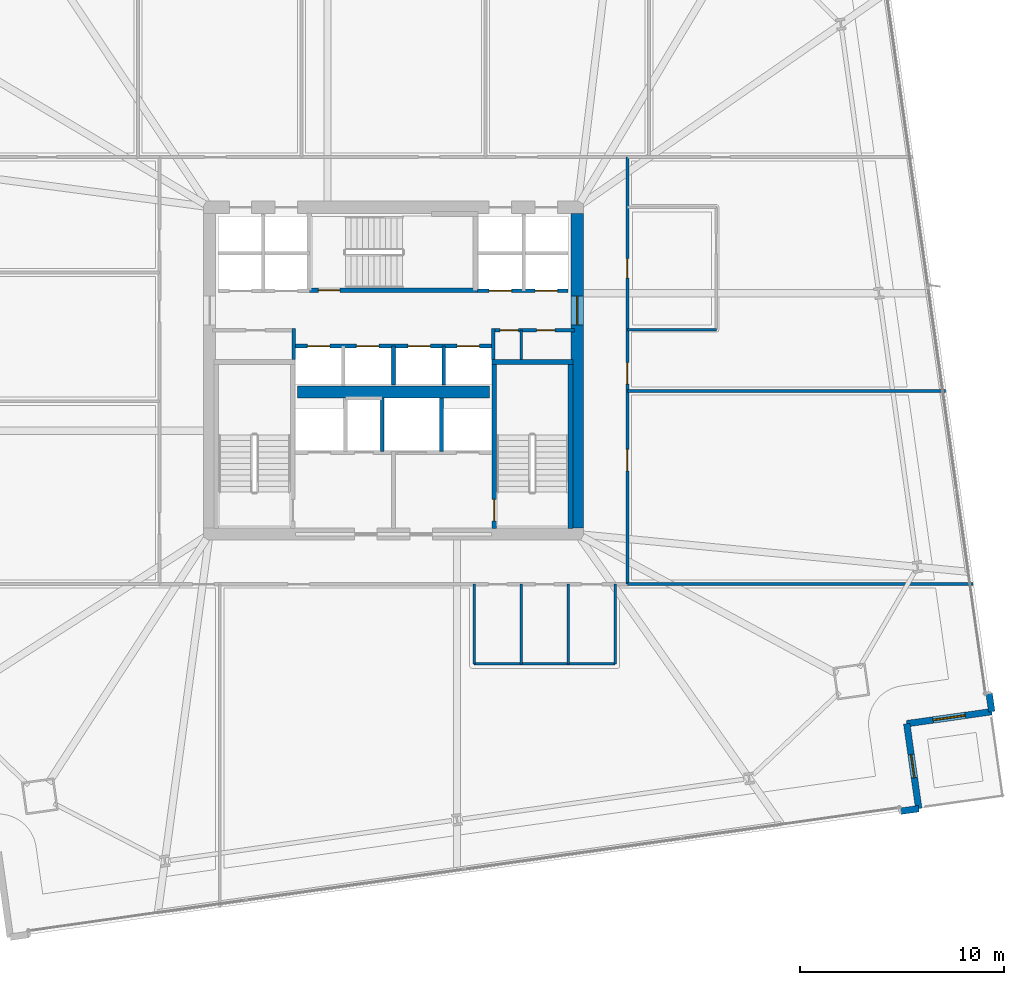
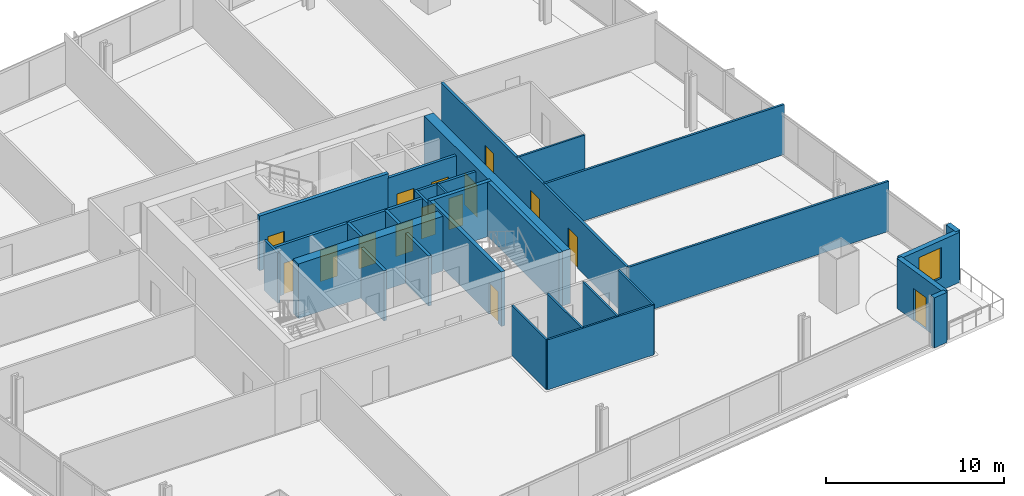
# One storey, part 26 of 33: 29 walls, 15 doors, 1 window, 16 openings.
"""IFC4 building model written with IfcOpenShell, lengths in metres."""

from ifc_helpers import new_model, si_unit, direction, frame, frame_2d, origin, place, context, subcontext, project, spatial, rectangle, extrude, material, layer, layer_set, type_object, element, fill, save


model = new_model("IFC4")

# Units and contexts
model_context = context("Model", 3, precision=1e-05, world=origin(), true_north=direction((0.0, 1.0)))
body_context = subcontext(model_context, "Body", "Model", "MODEL_VIEW")
ifc_project = project(units=[si_unit("LENGTHUNIT", "METRE"), si_unit("AREAUNIT", "SQUARE_METRE"), si_unit("VOLUMEUNIT", "CUBIC_METRE"), si_unit("PLANEANGLEUNIT", "RADIAN"), si_unit("MASSUNIT", "GRAM", prefix="KILO")], contexts=[model_context])

# Site, building, storey
site_placement = place(None, origin())
site = spatial("IfcSite", under=ifc_project, at=site_placement, CompositionType="ELEMENT")
building_placement = place(site_placement, origin())
building = spatial("IfcBuilding", under=site, at=building_placement, Name="Haldenkirk Collegiate Tower", CompositionType="ELEMENT")
storey_placement = place(building_placement, frame((0.0, 0.0, 55.199951171875)))
storey = spatial("IfcBuildingStorey", under=building, at=storey_placement, Name="L12", CompositionType="ELEMENT", Elevation=55.199951171875)

# Wall, opening, door
ifc_material_1 = material(Name="Concrete f'c 70 MPa", Category="concrete")
ifc_layer_1 = layer(ifc_material_1, 0.60009765625)
ifc_layer_set_1 = layer_set([ifc_layer_1], Name="Concrete f'c 70 MPa")
wall_type_1 = type_object("IfcWallType", Name="WL-CORE-600", PredefinedType="SHEAR", material=ifc_layer_set_1)
wall_1_placement = place(storey_placement, frame((45.0, 18.300048828125, 0.0), z_axis=(0.0, 0.0, 1.0), x_axis=(0.0, 1.0, 0.0)))
wall_1 = element("IfcWall", 1, at=wall_1_placement, inside=storey, type_object=wall_type_1, Name="L12 central core shear wall E", PredefinedType="SHEAR", context=body_context, shape_type="SweptSolid", body=[
    extrude(rectangle(XDim=15.39990234375, YDim=0.60009765625, at=frame_2d((7.699951171875, 0.0))), origin(), (0.0, 0.0, 1.0), 3.75),
])
opening_1_placement = place(wall_1_placement, frame((9.93994140625, 0.0, 0.0)))
opening_1 = element("IfcOpeningElement", 2, at=opening_1_placement, cuts=wall_1, Name="Opening D-03", PredefinedType="OPENING", context=body_context, shape_type="SweptSolid", body=[
    extrude(rectangle(XDim=1.39990234375, YDim=2.199951171875, at=frame_2d((0.699951171875, 1.10009765625))), frame((0.0, 0.31005859375, 0.0), z_axis=(0.0, -1.0, 0.0), x_axis=(1.0, 0.0, 0.0)), (0.0, 0.0, 1.0), 0.6201171875),
])
ifc_material_2 = material(Name="Galvanized fire-rated hollow steel door", Category="steel")
ifc_layer_2 = layer(ifc_material_2, 0.06005859375)
ifc_layer_set_2 = layer_set([ifc_layer_2], Name="Galvanized fire-rated hollow steel door")
door_type_1 = type_object("IfcDoorType", Name="DR-LOBBY-FD90-1400", OperationType="NOTDEFINED", PredefinedType="DOOR", material=ifc_layer_set_2)
door_1_placement = place(opening_1_placement, origin())
door_1 = element("IfcDoor", 3, at=door_1_placement, inside=storey, type_object=door_type_1, Name="L12 east lift lobby portal", OperationType="DOUBLE_DOOR_SINGLE_SWING", OverallHeight=2.199951171875, OverallWidth=1.39990234375, PredefinedType="DOOR", context=body_context, shape_type="SweptSolid", body=[
    extrude(rectangle(XDim=1.39990234375, YDim=2.199951171875, at=frame_2d((0.699951171875, 1.10009765625))), frame((0.0, 0.02490234375, 0.0), z_axis=(0.0, -1.0, 0.0), x_axis=(1.0, 0.0, 0.0)), (0.0, 0.0, 1.0), 0.050048828125),
])
fill(opening_1, door_1)

# Walls
wall_2_placement = place(storey_placement, frame((31.31005859375, 24.949951171875, 0.0), z_axis=(0.0, 0.0, 1.0), x_axis=(1.0, 0.0, 0.0)))
element("IfcWall", 4, at=wall_2_placement, inside=storey, type_object=wall_type_1, Name="L12 central core spine shear wall", PredefinedType="SHEAR", context=body_context, shape_type="SweptSolid", body=[
    extrude(rectangle(XDim=9.3798828125, YDim=0.60009765625, at=frame_2d((4.68994140625, 0.0))), origin(), (0.0, 0.0, 1.0), 3.75),
])
ifc_material_3 = material(Name="Precast concrete f'c 40 MPa", Category="concrete")
ifc_layer_3 = layer(ifc_material_3, 0.320068359375)
ifc_layer_set_3 = layer_set([ifc_layer_3], Name="Precast concrete f'c 40 MPa")
wall_type_2 = type_object("IfcWallType", Name="WL-EXT-TWR-320", PredefinedType="STANDARD", material=ifc_layer_set_3)
wall_3_placement = place(storey_placement, frame((61.705078125, 4.5634765625, 0.0), z_axis=(0.0, 0.0, 1.0), x_axis=(-0.990149293409, -0.140015630419, 0.0)))
element("IfcWall", 5, at=wall_3_placement, inside=storey, type_object=wall_type_2, Name="L12 precast corner pier SL", PredefinedType="STANDARD", context=body_context, shape_type="SweptSolid", body=[
    extrude(rectangle(XDim=0.899658203125, YDim=0.320068359375, at=frame_2d((0.44970703125, 0.0))), origin(), (0.0, 0.0, 1.0), 3.43994140625),
])

# Wall, opening, door
wall_4_placement = place(storey_placement, frame((61.1171875, 8.72216796875, 0.0), z_axis=(0.0, 0.0, 1.0), x_axis=(0.139972650661, -0.990155370165, 0.0)))
wall_4 = element("IfcWall", 6, at=wall_4_placement, inside=storey, type_object=wall_type_2, Name="L12 bronze precast notch wall 02", PredefinedType="STANDARD", context=body_context, shape_type="SweptSolid", body=[
    extrude(rectangle(XDim=4.199951171875, YDim=0.320068359375, at=frame_2d((2.10009765625, 0.0))), origin(), (0.0, 0.0, 1.0), 3.43994140625),
])
opening_2_placement = place(wall_4_placement, frame((1.52490234375, 0.0, 0.0)))
opening_2 = element("IfcOpeningElement", 7, at=opening_2_placement, cuts=wall_4, Name="Opening D-ST11", PredefinedType="OPENING", context=body_context, shape_type="SweptSolid", body=[
    extrude(rectangle(XDim=1.14990234375, YDim=2.199951171875, at=frame_2d((0.574951171875, 1.10009765625))), frame((0.0, 0.169921875, 0.0), z_axis=(0.0, -1.0, 0.0), x_axis=(1.0, 0.0, 0.0)), (0.0, 0.0, 1.0), 0.340087890625),
])
ifc_material_4 = material(Name="Anodised architectural bronze aluminium", Category="aluminium")
ifc_layer_4 = layer(ifc_material_4, 0.080078125)
ifc_layer_set_4 = layer_set([ifc_layer_4], Name="Anodised architectural bronze aluminium")
door_type_2 = type_object("IfcDoorType", Name="DR-EXT-STER-1150", OperationType="NOTDEFINED", PredefinedType="DOOR", material=ifc_layer_set_4)
door_2_placement = place(opening_2_placement, origin())
door_2 = element("IfcDoor", 8, at=door_2_placement, inside=storey, type_object=door_type_2, Name="L12 spiralling terrace door", OperationType="SINGLE_SWING_LEFT", OverallHeight=2.199951171875, OverallWidth=1.14990234375, PredefinedType="DOOR", context=body_context, shape_type="SweptSolid", body=[
    extrude(rectangle(XDim=1.14990234375, YDim=2.199951171875, at=frame_2d((0.574951171875, 1.10009765625))), frame((0.0, 0.02490234375, 0.0), z_axis=(0.0, -1.0, 0.0), x_axis=(1.0, 0.0, 0.0)), (0.0, 0.0, 1.0), 0.050048828125),
])
fill(opening_2, door_2)

# Wall, opening, window
wall_5_placement = place(storey_placement, frame((65.275634765625, 9.310302734375, 0.0), z_axis=(0.0, 0.0, 1.0), x_axis=(-0.990146172451, -0.140037699139, 0.0)))
wall_5 = element("IfcWall", 9, at=wall_5_placement, inside=storey, type_object=wall_type_2, Name="L12 bronze precast notch wall 03", PredefinedType="STANDARD", context=body_context, shape_type="SweptSolid", body=[
    extrude(rectangle(XDim=4.199951171875, YDim=0.320068359375, at=frame_2d((2.10009765625, 0.0))), origin(), (0.0, 0.0, 1.0), 3.43994140625),
])
opening_3_placement = place(wall_5_placement, frame((1.300048828125, 0.0, 0.85009765625)))
opening_3 = element("IfcOpeningElement", 10, at=opening_3_placement, cuts=wall_5, Name="Opening W-03", PredefinedType="OPENING", context=body_context, shape_type="SweptSolid", body=[
    extrude(rectangle(XDim=1.60009765625, YDim=2.10009765625, at=frame_2d((0.800048828125, 1.050048828125))), frame((0.0, 0.169921875, 0.0), z_axis=(0.0, -1.0, 0.0), x_axis=(1.0, 0.0, 0.0)), (0.0, 0.0, 1.0), 0.340087890625),
])
ifc_material_5 = material(Name="Low-E argon triple insulating glass", Category="glass")
ifc_layer_5 = layer(ifc_material_5, 0.090087890625)
ifc_layer_set_5 = layer_set([ifc_layer_5], Name="Low-E argon triple insulating glass")
window_type = type_object("IfcWindowType", Name="WN-Z1-1600X2100", PartitioningType="SINGLE_PANEL", PredefinedType="WINDOW", material=ifc_layer_set_5)
window_placement = place(opening_3_placement, origin())
window = element("IfcWindow", 11, at=window_placement, inside=storey, type_object=window_type, Name="L12 precast-frame academic window 2", OverallHeight=2.10009765625, OverallWidth=1.60009765625, PartitioningType="SINGLE_PANEL", PredefinedType="WINDOW", context=body_context, shape_type="SweptSolid", body=[
    extrude(rectangle(XDim=1.60009765625, YDim=2.10009765625, at=frame_2d((0.800048828125, 1.050048828125))), frame((0.0, 0.030029296875, 0.0), z_axis=(0.0, -1.0, 0.0), x_axis=(1.0, 0.0, 0.0)), (0.0, 0.0, 1.0), 0.06005859375),
])
fill(opening_3, window)

# Walls
wall_6_placement = place(storey_placement, frame((65.149658203125, 10.201416015625, 0.0), z_axis=(0.0, 0.0, 1.0), x_axis=(0.139978021702, -0.990154610877, 0.0)))
element("IfcWall", 12, at=wall_6_placement, inside=storey, type_object=wall_type_2, Name="L12 precast corner pier ER", PredefinedType="STANDARD", context=body_context, shape_type="SweptSolid", body=[
    extrude(rectangle(XDim=0.89990234375, YDim=0.320068359375, at=frame_2d((0.449951171875, 0.0))), origin(), (0.0, 0.0, 1.0), 3.43994140625),
])
ifc_material_6 = material(Name="Acoustic fire-rated gypsum partition", Category="concrete")
ifc_layer_6 = layer(ifc_material_6, 0.159912109375)
ifc_layer_set_6 = layer_set([ifc_layer_6], Name="Acoustic fire-rated gypsum partition")
wall_type_3 = type_object("IfcWallType", Name="WL-INT-CORR-160", PredefinedType="PARTITIONING", material=ifc_layer_set_6)
wall_7_placement = place(storey_placement, frame((31.1201171875, 26.5400390625, 0.0), z_axis=(0.0, 0.0, 1.0), x_axis=(0.0, 1.0, 0.0)))
element("IfcWall", 13, at=wall_7_placement, inside=storey, type_object=wall_type_3, Name="L12 interior partition IW-L12-VCSW-E", PredefinedType="PARTITIONING", context=body_context, shape_type="SweptSolid", body=[
    extrude(rectangle(XDim=1.510009765625, YDim=0.159912109375, at=frame_2d((0.7548828125, 0.0))), origin(), (0.0, 0.0, 1.0), 3.43994140625),
])

# Wall, openings, doors
wall_8_placement = place(storey_placement, frame((40.800048828125, 27.97998046875, 0.0), z_axis=(0.0, 0.0, 1.0), x_axis=(1.0, 0.0, 0.0)))
wall_8 = element("IfcWall", 14, at=wall_8_placement, inside=storey, type_object=wall_type_3, Name="L12 interior partition IW-L12-VCSE-N", PredefinedType="PARTITIONING", context=body_context, shape_type="SweptSolid", body=[
    extrude(rectangle(XDim=4.050048828125, YDim=0.159912109375, at=frame_2d((2.02490234375, 0.0))), origin(), (0.0, 0.0, 1.0), 3.43994140625),
])
opening_4_placement = place(wall_8_placement, frame((0.407470703125, 0.0, 0.0)))
opening_4 = element("IfcOpeningElement", 15, at=opening_4_placement, cuts=wall_8, Name="Opening D-11", PredefinedType="OPENING", context=body_context, shape_type="SweptSolid", body=[
    extrude(rectangle(XDim=0.89990234375, YDim=2.14990234375, at=frame_2d((0.449951171875, 1.074951171875))), frame((0.0, 0.08984375, 0.0), z_axis=(0.0, -1.0, 0.0), x_axis=(1.0, 0.0, 0.0)), (0.0, 0.0, 1.0), 0.179931640625),
])
opening_5_placement = place(wall_8_placement, frame((2.199951171875, 0.0, 0.0)))
opening_5 = element("IfcOpeningElement", 16, at=opening_5_placement, cuts=wall_8, Name="Opening D-11", PredefinedType="OPENING", context=body_context, shape_type="SweptSolid", body=[
    extrude(rectangle(XDim=0.89990234375, YDim=2.14990234375, at=frame_2d((0.449951171875, 1.074951171875))), frame((0.0, 0.08984375, 0.0), z_axis=(0.0, -1.0, 0.0), x_axis=(1.0, 0.0, 0.0)), (0.0, 0.0, 1.0), 0.179931640625),
])
ifc_material_7 = material(Name="Solid-core architectural oak fire door", Category="wood")
ifc_layer_7 = layer(ifc_material_7, 0.06005859375)
ifc_layer_set_7 = layer_set([ifc_layer_7], Name="Solid-core architectural oak fire door")
door_type_3 = type_object("IfcDoorType", Name="DR-INT-FD60-900", OperationType="NOTDEFINED", PredefinedType="DOOR", material=ifc_layer_set_7)
door_3_placement = place(opening_4_placement, origin())
door_3 = element("IfcDoor", 17, at=door_3_placement, inside=storey, type_object=door_type_3, Name="L12 core copy room door", OperationType="SINGLE_SWING_RIGHT", OverallHeight=2.14990234375, OverallWidth=0.89990234375, PredefinedType="DOOR", context=body_context, shape_type="SweptSolid", body=[
    extrude(rectangle(XDim=0.89990234375, YDim=2.14990234375, at=frame_2d((0.449951171875, 1.074951171875))), frame((0.0, 0.02490234375, 0.0), z_axis=(0.0, -1.0, 0.0), x_axis=(1.0, 0.0, 0.0)), (0.0, 0.0, 1.0), 0.050048828125),
])
fill(opening_4, door_3)
door_4_placement = place(opening_5_placement, origin())
door_4 = element("IfcDoor", 18, at=door_4_placement, inside=storey, type_object=door_type_3, Name="L12 core records store door", OperationType="SINGLE_SWING_LEFT", OverallHeight=2.14990234375, OverallWidth=0.89990234375, PredefinedType="DOOR", context=body_context, shape_type="SweptSolid", body=[
    extrude(rectangle(XDim=0.89990234375, YDim=2.14990234375, at=frame_2d((0.449951171875, 1.074951171875))), frame((0.0, 0.02490234375, 0.0), z_axis=(0.0, -1.0, 0.0), x_axis=(1.0, 0.0, 0.0)), (0.0, 0.0, 1.0), 0.050048828125),
])
fill(opening_5, door_4)

# Wall
wall_9_placement = place(storey_placement, frame((40.8798828125, 26.5400390625, 0.0), z_axis=(0.0, 0.0, 1.0), x_axis=(0.0, 1.0, 0.0)))
element("IfcWall", 19, at=wall_9_placement, inside=storey, type_object=wall_type_3, Name="L12 interior partition IW-L12-VCSE-W", PredefinedType="PARTITIONING", context=body_context, shape_type="SweptSolid", body=[
    extrude(rectangle(XDim=1.510009765625, YDim=0.159912109375, at=frame_2d((0.7548828125, 0.0))), origin(), (0.0, 0.0, 1.0), 3.43994140625),
])

# Wall, openings, doors
wall_10_placement = place(storey_placement, frame((47.449951171875, 15.550048828125, 0.0), z_axis=(0.0, 0.0, 1.0), x_axis=(0.0, 1.0, 0.0)))
wall_10 = element("IfcWall", 20, at=wall_10_placement, inside=storey, type_object=wall_type_3, Name="L12 interior partition IW-L12-CE", PredefinedType="PARTITIONING", context=body_context, shape_type="SweptSolid", body=[
    extrude(rectangle(XDim=20.89990234375, YDim=0.159912109375, at=frame_2d((10.449951171875, 0.0))), origin(), (0.0, 0.0, 1.0), 3.43994140625),
])
opening_6_placement = place(wall_10_placement, frame((14.97509765625, 0.0, 0.0)))
opening_6 = element("IfcOpeningElement", 21, at=opening_6_placement, cuts=wall_10, Name="Opening D-10", PredefinedType="OPENING", context=body_context, shape_type="SweptSolid", body=[
    extrude(rectangle(XDim=0.949951171875, YDim=2.14990234375, at=frame_2d((0.47509765625, 1.074951171875))), frame((0.0, 0.08984375, 0.0), z_axis=(0.0, -1.0, 0.0), x_axis=(1.0, 0.0, 0.0)), (0.0, 0.0, 1.0), 0.179931640625),
])
opening_7_placement = place(wall_10_placement, frame((5.5400390625, 0.0, 0.0)))
opening_7 = element("IfcOpeningElement", 22, at=opening_7_placement, cuts=wall_10, Name="Opening D-09", PredefinedType="OPENING", context=body_context, shape_type="SweptSolid", body=[
    extrude(rectangle(XDim=1.050048828125, YDim=2.14990234375, at=frame_2d((0.52490234375, 1.074951171875))), frame((0.0, 0.08984375, 0.0), z_axis=(0.0, -1.0, 0.0), x_axis=(1.0, 0.0, 0.0)), (0.0, 0.0, 1.0), 0.179931640625),
])
opening_8_placement = place(wall_10_placement, frame((9.791015625, 0.0, 0.0)))
opening_8 = element("IfcOpeningElement", 23, at=opening_8_placement, cuts=wall_10, Name="Opening D-09", PredefinedType="OPENING", context=body_context, shape_type="SweptSolid", body=[
    extrude(rectangle(XDim=1.050048828125, YDim=2.14990234375, at=frame_2d((0.52490234375, 1.074951171875))), frame((0.0, 0.08984375, 0.0), z_axis=(0.0, -1.0, 0.0), x_axis=(1.0, 0.0, 0.0)), (0.0, 0.0, 1.0), 0.179931640625),
])
ifc_layer_8 = layer(ifc_material_7, 0.06005859375)
ifc_layer_set_8 = layer_set([ifc_layer_8], Name="Solid-core architectural oak fire door")
door_type_4 = type_object("IfcDoorType", Name="DR-INT-FD60-1050", OperationType="NOTDEFINED", PredefinedType="DOOR", material=ifc_layer_set_8)
door_5_placement = place(opening_7_placement, origin())
door_5 = element("IfcDoor", 24, at=door_5_placement, inside=storey, type_object=door_type_4, Name="L12 Departmental Archive 11 door", OperationType="SINGLE_SWING_LEFT", OverallHeight=2.14990234375, OverallWidth=1.050048828125, PredefinedType="DOOR", context=body_context, shape_type="SweptSolid", body=[
    extrude(rectangle(XDim=1.050048828125, YDim=2.14990234375, at=frame_2d((0.52490234375, 1.074951171875))), frame((0.0, 0.02490234375, 0.0), z_axis=(0.0, -1.0, 0.0), x_axis=(1.0, 0.0, 0.0)), (0.0, 0.0, 1.0), 0.050048828125),
])
fill(opening_7, door_5)
door_6_placement = place(opening_8_placement, origin())
door_6 = element("IfcDoor", 25, at=door_6_placement, inside=storey, type_object=door_type_4, Name="L12 Cleanroom Prep Store 12 door", OperationType="SINGLE_SWING_RIGHT", OverallHeight=2.14990234375, OverallWidth=1.050048828125, PredefinedType="DOOR", context=body_context, shape_type="SweptSolid", body=[
    extrude(rectangle(XDim=1.050048828125, YDim=2.14990234375, at=frame_2d((0.52490234375, 1.074951171875))), frame((0.0, 0.02490234375, 0.0), z_axis=(0.0, -1.0, 0.0), x_axis=(1.0, 0.0, 0.0)), (0.0, 0.0, 1.0), 0.050048828125),
])
fill(opening_8, door_6)
ifc_layer_9 = layer(ifc_material_7, 0.06005859375)
ifc_layer_set_9 = layer_set([ifc_layer_9], Name="Solid-core architectural oak fire door")
door_type_5 = type_object("IfcDoorType", Name="DR-INT-FD60-950", OperationType="NOTDEFINED", PredefinedType="DOOR", material=ifc_layer_set_9)
door_7_placement = place(opening_6_placement, origin())
door_7 = element("IfcDoor", 26, at=door_7_placement, inside=storey, type_object=door_type_5, Name="L12 East Graduate Study Pod corridor door", OperationType="SINGLE_SWING_LEFT", OverallHeight=2.14990234375, OverallWidth=0.949951171875, PredefinedType="DOOR", context=body_context, shape_type="SweptSolid", body=[
    extrude(rectangle(XDim=0.949951171875, YDim=2.14990234375, at=frame_2d((0.47509765625, 1.074951171875))), frame((0.0, 0.02490234375, 0.0), z_axis=(0.0, -1.0, 0.0), x_axis=(1.0, 0.0, 0.0)), (0.0, 0.0, 1.0), 0.050048828125),
])
fill(opening_6, door_7)

# Walls
ifc_layer_10 = layer(ifc_material_6, 0.139892578125)
ifc_layer_set_10 = layer_set([ifc_layer_10], Name="Acoustic fire-rated gypsum partition")
wall_type_4 = type_object("IfcWallType", Name="WL-INT-DIV-140", PredefinedType="PARTITIONING", material=ifc_layer_set_10)
wall_11_placement = place(storey_placement, frame((47.449951171875, 15.550048828125, 0.0), z_axis=(0.0, 0.0, 1.0), x_axis=(1.0, 0.0, 0.0)))
element("IfcWall", 27, at=wall_11_placement, inside=storey, type_object=wall_type_4, Name="L12 interior partition IW-L12-BES", PredefinedType="PARTITIONING", context=body_context, shape_type="SweptSolid", body=[
    extrude(rectangle(XDim=16.90283203125, YDim=0.139892578125, at=frame_2d((8.451416015625, 0.0))), origin(), (0.0, 0.0, 1.0), 3.43994140625),
])
wall_12_placement = place(storey_placement, frame((47.449951171875, 25.0, 0.0), z_axis=(0.0, 0.0, 1.0), x_axis=(1.0, 0.0, 0.0)))
element("IfcWall", 28, at=wall_12_placement, inside=storey, type_object=wall_type_4, Name="L12 interior partition IW-L12-RE1", PredefinedType="PARTITIONING", context=body_context, shape_type="SweptSolid", body=[
    extrude(rectangle(XDim=15.56640625, YDim=0.139892578125, at=frame_2d((7.783203125, 0.0))), origin(), (0.0, 0.0, 1.0), 3.43994140625),
])
ifc_material_8 = material(Name="Fire-rated gypsum shaftboard assembly", Category="concrete")
ifc_layer_11 = layer(ifc_material_8, 0.179931640625)
ifc_layer_set_11 = layer_set([ifc_layer_11], Name="Fire-rated gypsum shaftboard assembly")
wall_type_5 = type_object("IfcWallType", Name="WL-INT-SHAFT-180", PredefinedType="PARTITIONING", material=ifc_layer_set_11)
for number, where, z_axis, x_axis, name in (
    (29, (35.449951171875, 22.050048828125, 0.0), (0.0, 0.0, 1.0), (0.0, 1.0, 0.0), "L12 interior partition IW-L12-GL1W"),
    (30, (38.35009765625, 22.050048828125, 0.0), (0.0, 0.0, 1.0), (0.0, 1.0, 0.0), "L12 interior partition IW-L12-GL1E"),
):
    element("IfcWall", number, at=place(storey_placement, frame(where, z_axis=z_axis, x_axis=x_axis)), inside=storey, type_object=wall_type_5, Name=name, PredefinedType="PARTITIONING", context=body_context, shape_type="SweptSolid", body=[
        extrude(rectangle(XDim=2.599853515625, YDim=0.179931640625, at=frame_2d((1.2998046875, 0.0))), origin(), (0.0, 0.0, 1.0), 3.43994140625),
    ])

# Wall, openings, doors
wall_13_placement = place(storey_placement, frame((40.1201171875, 29.89990234375, 0.0), z_axis=(0.0, 0.0, 1.0), x_axis=(1.0, 0.0, 0.0)))
wall_13 = element("IfcWall", 31, at=wall_13_placement, inside=storey, type_object=wall_type_5, Name="L12 interior partition IW-L12-PMS", PredefinedType="PARTITIONING", context=body_context, shape_type="SweptSolid", body=[
    extrude(rectangle(XDim=4.429931640625, YDim=0.179931640625, at=frame_2d((2.21484375, 0.0))), origin(), (0.0, 0.0, 1.0), 3.43994140625),
])
opening_9_placement = place(wall_13_placement, frame((0.56494140625, 0.0, 0.0)))
opening_9 = element("IfcOpeningElement", 32, at=opening_9_placement, cuts=wall_13, Name="Opening LD-11", PredefinedType="OPENING", context=body_context, shape_type="SweptSolid", body=[
    extrude(rectangle(XDim=1.10009765625, YDim=2.14990234375, at=frame_2d((0.550048828125, 1.074951171875))), frame((0.0, 0.099853515625, 0.0), z_axis=(0.0, -1.0, 0.0), x_axis=(1.0, 0.0, 0.0)), (0.0, 0.0, 1.0), 0.199951171875),
])
opening_10_placement = place(wall_13_placement, frame((2.81494140625, 0.0, 0.0)))
opening_10 = element("IfcOpeningElement", 33, at=opening_10_placement, cuts=wall_13, Name="Opening LD-11", PredefinedType="OPENING", context=body_context, shape_type="SweptSolid", body=[
    extrude(rectangle(XDim=1.10009765625, YDim=2.14990234375, at=frame_2d((0.550048828125, 1.074951171875))), frame((0.0, 0.099853515625, 0.0), z_axis=(0.0, -1.0, 0.0), x_axis=(1.0, 0.0, 0.0)), (0.0, 0.0, 1.0), 0.199951171875),
])
ifc_material_9 = material(Name="Brushed architectural stainless steel", Category="steel")
ifc_layer_12 = layer(ifc_material_9, 0.06005859375)
ifc_layer_set_12 = layer_set([ifc_layer_12], Name="Brushed architectural stainless steel")
door_type_6 = type_object("IfcDoorType", Name="LD-PASS-1100", OperationType="NOTDEFINED", PredefinedType="DOOR", material=ifc_layer_set_12)
door_8_placement = place(opening_9_placement, origin())
door_8 = element("IfcDoor", 34, at=door_8_placement, inside=storey, type_object=door_type_6, Name="L12 Elevator PM1 sliding landing door", OperationType="SLIDING_TO_LEFT", OverallHeight=2.14990234375, OverallWidth=1.10009765625, PredefinedType="DOOR", context=body_context, shape_type="SweptSolid", body=[
    extrude(rectangle(XDim=1.10009765625, YDim=2.14990234375, at=frame_2d((0.550048828125, 1.074951171875))), frame((0.0, 0.02490234375, 0.0), z_axis=(0.0, -1.0, 0.0), x_axis=(1.0, 0.0, 0.0)), (0.0, 0.0, 1.0), 0.050048828125),
])
fill(opening_9, door_8)
door_9_placement = place(opening_10_placement, origin())
door_9 = element("IfcDoor", 35, at=door_9_placement, inside=storey, type_object=door_type_6, Name="L12 Elevator PM2 sliding landing door", OperationType="SLIDING_TO_LEFT", OverallHeight=2.14990234375, OverallWidth=1.10009765625, PredefinedType="DOOR", context=body_context, shape_type="SweptSolid", body=[
    extrude(rectangle(XDim=1.10009765625, YDim=2.14990234375, at=frame_2d((0.550048828125, 1.074951171875))), frame((0.0, 0.02490234375, 0.0), z_axis=(0.0, -1.0, 0.0), x_axis=(1.0, 0.0, 0.0)), (0.0, 0.0, 1.0), 0.050048828125),
])
fill(opening_10, door_9)

wall_14_placement = place(storey_placement, frame((31.199951171875, 27.199951171875, 0.0), z_axis=(0.0, 0.0, 1.0), x_axis=(1.0, 0.0, 0.0)))
wall_14 = element("IfcWall", 36, at=wall_14_placement, inside=storey, type_object=wall_type_5, Name="L12 interior partition IW-L12-PHN", PredefinedType="PARTITIONING", context=body_context, shape_type="SweptSolid", body=[
    extrude(rectangle(XDim=9.60009765625, YDim=0.179931640625, at=frame_2d((4.800048828125, 0.0))), origin(), (0.0, 0.0, 1.0), 3.43994140625),
])
opening_11_placement = place(wall_14_placement, frame((0.590087890625, 0.0, 0.0)))
opening_11 = element("IfcOpeningElement", 37, at=opening_11_placement, cuts=wall_14, Name="Opening LD-11", PredefinedType="OPENING", context=body_context, shape_type="SweptSolid", body=[
    extrude(rectangle(XDim=1.10009765625, YDim=2.14990234375, at=frame_2d((0.550048828125, 1.074951171875))), frame((0.0, 0.099853515625, 0.0), z_axis=(0.0, -1.0, 0.0), x_axis=(1.0, 0.0, 0.0)), (0.0, 0.0, 1.0), 0.199951171875),
])
opening_12_placement = place(wall_14_placement, frame((2.989990234375, 0.0, 0.0)))
opening_12 = element("IfcOpeningElement", 38, at=opening_12_placement, cuts=wall_14, Name="Opening LD-11", PredefinedType="OPENING", context=body_context, shape_type="SweptSolid", body=[
    extrude(rectangle(XDim=1.10009765625, YDim=2.14990234375, at=frame_2d((0.550048828125, 1.074951171875))), frame((0.0, 0.099853515625, 0.0), z_axis=(0.0, -1.0, 0.0), x_axis=(1.0, 0.0, 0.0)), (0.0, 0.0, 1.0), 0.199951171875),
])
opening_13_placement = place(wall_14_placement, frame((5.510009765625, 0.0, 0.0)))
opening_13 = element("IfcOpeningElement", 39, at=opening_13_placement, cuts=wall_14, Name="Opening LD-11", PredefinedType="OPENING", context=body_context, shape_type="SweptSolid", body=[
    extrude(rectangle(XDim=1.10009765625, YDim=2.14990234375, at=frame_2d((0.550048828125, 1.074951171875))), frame((0.0, 0.099853515625, 0.0), z_axis=(0.0, -1.0, 0.0), x_axis=(1.0, 0.0, 0.0)), (0.0, 0.0, 1.0), 0.199951171875),
])
opening_14_placement = place(wall_14_placement, frame((7.909912109375, 0.0, 0.0)))
opening_14 = element("IfcOpeningElement", 40, at=opening_14_placement, cuts=wall_14, Name="Opening LD-11", PredefinedType="OPENING", context=body_context, shape_type="SweptSolid", body=[
    extrude(rectangle(XDim=1.10009765625, YDim=2.14990234375, at=frame_2d((0.550048828125, 1.074951171875))), frame((0.0, 0.099853515625, 0.0), z_axis=(0.0, -1.0, 0.0), x_axis=(1.0, 0.0, 0.0)), (0.0, 0.0, 1.0), 0.199951171875),
])
door_10_placement = place(opening_11_placement, origin())
door_10 = element("IfcDoor", 41, at=door_10_placement, inside=storey, type_object=door_type_6, Name="L12 Elevator PH1 sliding landing door", OperationType="SLIDING_TO_LEFT", OverallHeight=2.14990234375, OverallWidth=1.10009765625, PredefinedType="DOOR", context=body_context, shape_type="SweptSolid", body=[
    extrude(rectangle(XDim=1.10009765625, YDim=2.14990234375, at=frame_2d((0.550048828125, 1.074951171875))), frame((0.0, 0.02490234375, 0.0), z_axis=(0.0, -1.0, 0.0), x_axis=(1.0, 0.0, 0.0)), (0.0, 0.0, 1.0), 0.050048828125),
])
fill(opening_11, door_10)
door_11_placement = place(opening_12_placement, origin())
door_11 = element("IfcDoor", 42, at=door_11_placement, inside=storey, type_object=door_type_6, Name="L12 Elevator PH2 sliding landing door", OperationType="SLIDING_TO_LEFT", OverallHeight=2.14990234375, OverallWidth=1.10009765625, PredefinedType="DOOR", context=body_context, shape_type="SweptSolid", body=[
    extrude(rectangle(XDim=1.10009765625, YDim=2.14990234375, at=frame_2d((0.550048828125, 1.074951171875))), frame((0.0, 0.02490234375, 0.0), z_axis=(0.0, -1.0, 0.0), x_axis=(1.0, 0.0, 0.0)), (0.0, 0.0, 1.0), 0.050048828125),
])
fill(opening_12, door_11)
door_12_placement = place(opening_13_placement, origin())
door_12 = element("IfcDoor", 43, at=door_12_placement, inside=storey, type_object=door_type_6, Name="L12 Elevator PH3 sliding landing door", OperationType="SLIDING_TO_LEFT", OverallHeight=2.14990234375, OverallWidth=1.10009765625, PredefinedType="DOOR", context=body_context, shape_type="SweptSolid", body=[
    extrude(rectangle(XDim=1.10009765625, YDim=2.14990234375, at=frame_2d((0.550048828125, 1.074951171875))), frame((0.0, 0.02490234375, 0.0), z_axis=(0.0, -1.0, 0.0), x_axis=(1.0, 0.0, 0.0)), (0.0, 0.0, 1.0), 0.050048828125),
])
fill(opening_13, door_12)
door_13_placement = place(opening_14_placement, origin())
door_13 = element("IfcDoor", 44, at=door_13_placement, inside=storey, type_object=door_type_6, Name="L12 Elevator PH4 sliding landing door", OperationType="SLIDING_TO_LEFT", OverallHeight=2.14990234375, OverallWidth=1.10009765625, PredefinedType="DOOR", context=body_context, shape_type="SweptSolid", body=[
    extrude(rectangle(XDim=1.10009765625, YDim=2.14990234375, at=frame_2d((0.550048828125, 1.074951171875))), frame((0.0, 0.02490234375, 0.0), z_axis=(0.0, -1.0, 0.0), x_axis=(1.0, 0.0, 0.0)), (0.0, 0.0, 1.0), 0.050048828125),
])
fill(opening_14, door_13)

# Walls
for number, where, z_axis, x_axis, name in (
    (45, (36.0, 25.300048828125, 0.0), (0.0, 0.0, 1.0), (0.0, 1.0, 0.0), "L12 interior partition IW-L12-PHV2"),
    (46, (38.4599609375, 25.300048828125, 0.0), (0.0, 0.0, 1.0), (0.0, 1.0, 0.0), "L12 interior partition IW-L12-PHV3"),
):
    element("IfcWall", number, at=place(storey_placement, frame(where, z_axis=z_axis, x_axis=x_axis)), inside=storey, type_object=wall_type_5, Name=name, PredefinedType="PARTITIONING", context=body_context, shape_type="SweptSolid", body=[
        extrude(rectangle(XDim=1.89990234375, YDim=0.179931640625, at=frame_2d((0.949951171875, 0.0))), origin(), (0.0, 0.0, 1.0), 3.43994140625),
    ])
ifc_layer_13 = layer(ifc_material_6, 0.1201171875)
ifc_layer_set_13 = layer_set([ifc_layer_13], Name="Acoustic fire-rated gypsum partition")
wall_type_6 = type_object("IfcWallType", Name="WL-INT-WET-120", PredefinedType="PARTITIONING", material=ifc_layer_set_13)
wall_15_placement = place(storey_placement, frame((42.25, 26.5400390625, 0.0), z_axis=(0.0, 0.0, 1.0), x_axis=(0.0, 1.0, 0.0)))
element("IfcWall", 47, at=wall_15_placement, inside=storey, type_object=wall_type_6, Name="L12 interior partition IW-L12-VCSE-M", PredefinedType="PARTITIONING", context=body_context, shape_type="SweptSolid", body=[
    extrude(rectangle(XDim=1.43994140625, YDim=0.1201171875, at=frame_2d((0.719970703125, 0.0))), origin(), (0.0, 0.0, 1.0), 3.43994140625),
])
for number, where, z_axis, x_axis, name in (
    (48, (39.949951171875, 11.64990234375, 0.0), (0.0, 0.0, 1.0), (0.0, 1.0, 0.0), "L12 interior partition IW-L12-WCW"),
    (49, (42.25, 11.64990234375, 0.0), (0.0, 0.0, 1.0), (0.0, 1.0, 0.0), "L12 interior partition IW-L12-WC1"),
    (50, (44.550048828125, 11.64990234375, 0.0), (0.0, 0.0, 1.0), (0.0, 1.0, 0.0), "L12 interior partition IW-L12-WC2"),
    (51, (46.85009765625, 11.64990234375, 0.0), (0.0, 0.0, 1.0), (0.0, 1.0, 0.0), "L12 interior partition IW-L12-WCE"),
):
    element("IfcWall", number, at=place(storey_placement, frame(where, z_axis=z_axis, x_axis=x_axis)), inside=storey, type_object=wall_type_6, Name=name, PredefinedType="PARTITIONING", context=body_context, shape_type="SweptSolid", body=[
        extrude(rectangle(XDim=3.900146484375, YDim=0.1201171875, at=frame_2d((1.9501953125, 0.0))), origin(), (0.0, 0.0, 1.0), 3.43994140625),
    ])
wall_16_placement = place(storey_placement, frame((39.949951171875, 11.64990234375, 0.0), z_axis=(0.0, 0.0, 1.0), x_axis=(1.0, 0.0, 0.0)))
element("IfcWall", 52, at=wall_16_placement, inside=storey, type_object=wall_type_6, Name="L12 interior partition IW-L12-WCB", PredefinedType="PARTITIONING", context=body_context, shape_type="SweptSolid", body=[
    extrude(rectangle(XDim=6.900146484375, YDim=0.1201171875, at=frame_2d((3.4501953125, 0.0))), origin(), (0.0, 0.0, 1.0), 3.43994140625),
])
wall_17_placement = place(storey_placement, frame((47.449951171875, 28.0, 0.0), z_axis=(0.0, 0.0, 1.0), x_axis=(1.0, 0.0, 0.0)))
element("IfcWall", 53, at=wall_17_placement, inside=storey, type_object=wall_type_6, Name="L12 interior partition IW-L12-SUBES", PredefinedType="PARTITIONING", context=body_context, shape_type="SweptSolid", body=[
    extrude(rectangle(XDim=4.35009765625, YDim=0.1201171875, at=frame_2d((2.175048828125, 0.0))), origin(), (0.0, 0.0, 1.0), 3.43994140625),
])

# Wall, opening, door
ifc_material_10 = material(Name="Concrete f'c 55 MPa", Category="concrete")
ifc_layer_14 = layer(ifc_material_10, 0.239990234375)
ifc_layer_set_14 = layer_set([ifc_layer_14], Name="Concrete f'c 55 MPa")
wall_type_7 = type_object("IfcWallType", Name="WL-SHAFT-240", PredefinedType="SHEAR", material=ifc_layer_set_14)
wall_18_placement = place(storey_placement, frame((40.929931640625, 18.280029296875, 0.0), z_axis=(0.0, 0.0, 1.0), x_axis=(0.0, 1.0, 0.0)))
wall_18 = element("IfcWall", 54, at=wall_18_placement, inside=storey, type_object=wall_type_7, Name="L12 stair shaft shear wall SW-L12-ST2W", PredefinedType="SHEAR", context=body_context, shape_type="SweptSolid", body=[
    extrude(rectangle(XDim=8.260009765625, YDim=0.239990234375, at=frame_2d((4.1298828125, 0.0))), origin(), (0.0, 0.0, 1.0), 3.75),
])
opening_15_placement = place(wall_18_placement, frame((0.364990234375, 0.0, 0.0)))
opening_15 = element("IfcOpeningElement", 55, at=opening_15_placement, cuts=wall_18, Name="Opening D-01", PredefinedType="OPENING", context=body_context, shape_type="SweptSolid", body=[
    extrude(rectangle(XDim=1.050048828125, YDim=2.14990234375, at=frame_2d((0.52490234375, 1.074951171875))), frame((0.0, 0.1298828125, 0.0), z_axis=(0.0, -1.0, 0.0), x_axis=(1.0, 0.0, 0.0)), (0.0, 0.0, 1.0), 0.260009765625),
])
ifc_layer_15 = layer(ifc_material_2, 0.06005859375)
ifc_layer_set_15 = layer_set([ifc_layer_15], Name="Galvanized fire-rated hollow steel door")
door_type_7 = type_object("IfcDoorType", Name="DR-STAIR-FD90-1050", OperationType="NOTDEFINED", PredefinedType="DOOR", material=ifc_layer_set_15)
door_14_placement = place(opening_15_placement, origin())
door_14 = element("IfcDoor", 56, at=door_14_placement, inside=storey, type_object=door_type_7, Name="L12 Stair 2 door", OperationType="SINGLE_SWING_RIGHT", OverallHeight=2.14990234375, OverallWidth=1.050048828125, PredefinedType="DOOR", context=body_context, shape_type="SweptSolid", body=[
    extrude(rectangle(XDim=1.050048828125, YDim=2.14990234375, at=frame_2d((0.52490234375, 1.074951171875))), frame((0.0, 0.02490234375, 0.0), z_axis=(0.0, -1.0, 0.0), x_axis=(1.0, 0.0, 0.0)), (0.0, 0.0, 1.0), 0.050048828125),
])
fill(opening_15, door_14)

# Walls
wall_19_placement = place(storey_placement, frame((40.81005859375, 26.419921875, 0.0), z_axis=(0.0, 0.0, 1.0), x_axis=(1.0, 0.0, 0.0)))
element("IfcWall", 57, at=wall_19_placement, inside=storey, type_object=wall_type_7, Name="L12 stair shaft shear wall SW-L12-ST2N", PredefinedType="SHEAR", context=body_context, shape_type="SweptSolid", body=[
    extrude(rectangle(XDim=3.97998046875, YDim=0.239990234375, at=frame_2d((1.989990234375, 0.0))), origin(), (0.0, 0.0, 1.0), 3.75),
])
wall_20_placement = place(storey_placement, frame((44.669921875, 18.280029296875, 0.0), z_axis=(0.0, 0.0, 1.0), x_axis=(0.0, 1.0, 0.0)))
element("IfcWall", 58, at=wall_20_placement, inside=storey, type_object=wall_type_7, Name="L12 stair shaft shear wall SW-L12-ST2E", PredefinedType="SHEAR", context=body_context, shape_type="SweptSolid", body=[
    extrude(rectangle(XDim=8.260009765625, YDim=0.239990234375, at=frame_2d((4.1298828125, 0.0))), origin(), (0.0, 0.0, 1.0), 3.75),
])

# Wall, opening, door
wall_21_placement = place(storey_placement, frame((31.760009765625, 29.929931640625, 0.0), z_axis=(0.0, 0.0, 1.0), x_axis=(1.0, 0.0, 0.0)))
wall_21 = element("IfcWall", 59, at=wall_21_placement, inside=storey, type_object=wall_type_7, Name="L12 stair shaft shear wall SW-L12-ST3S", PredefinedType="SHEAR", context=body_context, shape_type="SweptSolid", body=[
    extrude(rectangle(XDim=8.3798828125, YDim=0.239990234375, at=frame_2d((4.18994140625, 0.0))), origin(), (0.0, 0.0, 1.0), 3.75),
])
opening_16_placement = place(wall_21_placement, frame((0.56494140625, 0.0, 0.0)))
opening_16 = element("IfcOpeningElement", 60, at=opening_16_placement, cuts=wall_21, Name="Opening D-01", PredefinedType="OPENING", context=body_context, shape_type="SweptSolid", body=[
    extrude(rectangle(XDim=1.050048828125, YDim=2.14990234375, at=frame_2d((0.52490234375, 1.074951171875))), frame((0.0, 0.1298828125, 0.0), z_axis=(0.0, -1.0, 0.0), x_axis=(1.0, 0.0, 0.0)), (0.0, 0.0, 1.0), 0.260009765625),
])
door_15_placement = place(opening_16_placement, origin())
door_15 = element("IfcDoor", 61, at=door_15_placement, inside=storey, type_object=door_type_7, Name="L12 lift lobby Stair 3 door", OperationType="SINGLE_SWING_RIGHT", OverallHeight=2.14990234375, OverallWidth=1.050048828125, PredefinedType="DOOR", context=body_context, shape_type="SweptSolid", body=[
    extrude(rectangle(XDim=1.050048828125, YDim=2.14990234375, at=frame_2d((0.52490234375, 1.074951171875))), frame((0.0, 0.02490234375, 0.0), z_axis=(0.0, -1.0, 0.0), x_axis=(1.0, 0.0, 0.0)), (0.0, 0.0, 1.0), 0.050048828125),
])
fill(opening_16, door_15)

save(model, "model.ifc")
